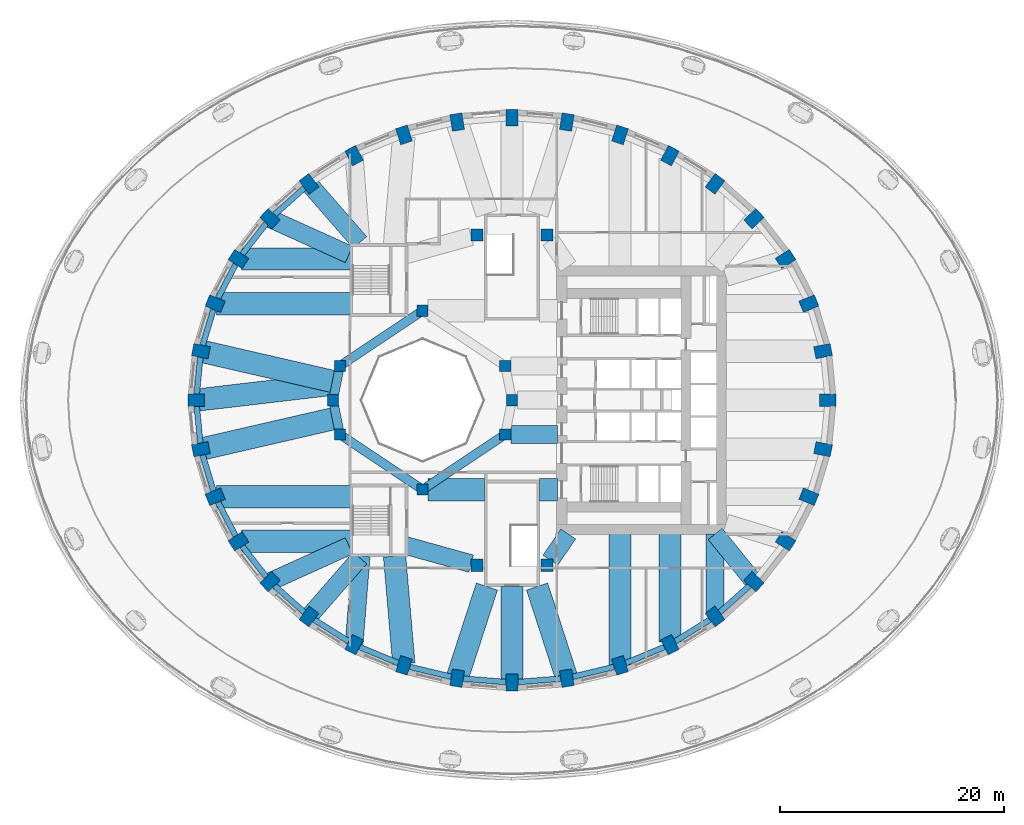
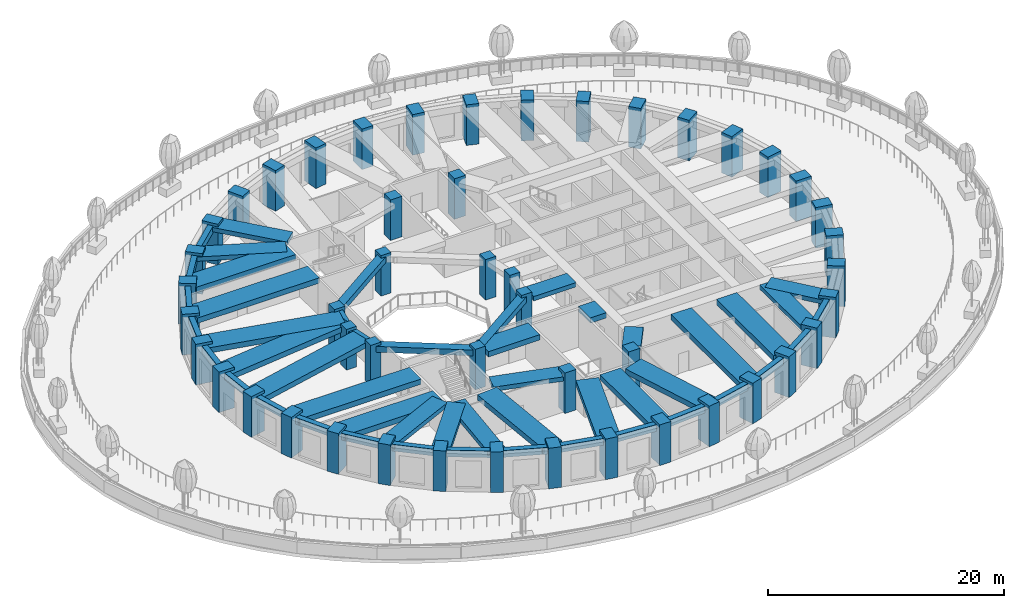
# One storey, part 1 of 17: 49 beams, 48 columns.
"""IFC4 building model written with IfcOpenShell, lengths in metres."""

from ifc_helpers import new_model, si_unit, direction, frame, origin, origin_2d, place, context, subcontext, project, spatial, rectangle, extrude, material, material_profile, profile_set, type_object, element, save


model = new_model("IFC4")

# Units and contexts
model_context = context("Model", 3, precision=1e-05, world=origin(), true_north=direction((0.0, 1.0)))
body_context = subcontext(model_context, "Body", "Model", "MODEL_VIEW")
ifc_project = project(units=[si_unit("LENGTHUNIT", "METRE"), si_unit("AREAUNIT", "SQUARE_METRE"), si_unit("VOLUMEUNIT", "CUBIC_METRE"), si_unit("PLANEANGLEUNIT", "RADIAN"), si_unit("MASSUNIT", "GRAM", prefix="KILO")], contexts=[model_context])

# Site, building, storey
site_placement = place(None, origin())
site = spatial("IfcSite", under=ifc_project, at=site_placement, CompositionType="ELEMENT")
building_placement = place(site_placement, origin())
building = spatial("IfcBuilding", under=site, at=building_placement, Name="Taillehof Tower", CompositionType="ELEMENT")
storey_placement = place(building_placement, frame((0.0, 0.0, 17.5)))
storey = spatial("IfcBuildingStorey", under=building, at=storey_placement, Name="L03", CompositionType="ELEMENT", Elevation=17.5)

# Columns
ifc_material_1 = material(Name="Concrete C50/60", Category="concrete")
ifc_material_profile_1 = material_profile(ifc_material_1, rectangle(XDim=1.0, YDim=1.0, at=origin_2d()), Name="RC 1000x1000")
ifc_profile_set_1 = profile_set([ifc_material_profile_1], Name="Concrete C50/60")
column_type_1 = type_object("IfcColumnType", Name="Atrium ring column C50/60 1000x1000", PredefinedType="COLUMN", material=ifc_profile_set_1)
for number, where, z_axis, x_axis, name in (
    (1, (0.0, 0.0, 0.0), (0.0, 0.0, 1.0), (1.0, 0.0, 0.0), "Column AC01"),
    (2, (-8.0, 8.0, 0.0), (0.0, 0.0, 1.0), (1.0, 0.0, 0.0), "Column AC05"),
    (3, (-16.0, 0.0, 0.0), (0.0, 0.0, 1.0), (1.0, 0.0, 0.0), "Column AC09"),
    (4, (-8.0, -8.0, 0.0), (0.0, 0.0, 1.0), (1.0, 0.0, 0.0), "Column AC13"),
):
    element("IfcColumn", number, at=place(storey_placement, frame(where, z_axis=z_axis, x_axis=x_axis)), inside=storey, type_object=column_type_1, Name=name, PredefinedType="COLUMN", context=body_context, shape_type="SweptSolid", body=[
        extrude(rectangle(XDim=1.0, YDim=1.0, at=origin_2d()), origin(), (0.0, 0.0, 1.0), 4.199951171875),
    ])
ifc_material_2 = material(Name="Concrete C60/75", Category="concrete")
ifc_material_profile_2 = material_profile(ifc_material_2, rectangle(XDim=1.0, YDim=1.0, at=origin_2d()), Name="RC 1000x1000")
ifc_profile_set_2 = profile_set([ifc_material_profile_2], Name="Concrete C60/75")
column_type_2 = type_object("IfcColumnType", Name="Atrium ring column C60/75 1000x1000", PredefinedType="COLUMN", material=ifc_profile_set_2)
for number, where, z_axis, x_axis, name in (
    (5, (-0.60888671875, 3.0615234375, 0.0), (0.0, 0.0, 1.0), (1.0, 0.0, 0.0), "Column AC02"),
    (6, (-15.39111328125, 3.0615234375, 0.0), (0.0, 0.0, 1.0), (1.0, 0.0, 0.0), "Column AC08"),
    (7, (-15.39111328125, -3.0615234375, 0.0), (0.0, 0.0, 1.0), (1.0, 0.0, 0.0), "Column AC10"),
    (8, (-0.60888671875, -3.0615234375, 0.0), (0.0, 0.0, 1.0), (1.0, 0.0, 0.0), "Column AC16"),
):
    element("IfcColumn", number, at=place(storey_placement, frame(where, z_axis=z_axis, x_axis=x_axis)), inside=storey, type_object=column_type_2, Name=name, PredefinedType="COLUMN", context=body_context, shape_type="SweptSolid", body=[
        extrude(rectangle(XDim=1.0, YDim=1.0, at=origin_2d()), origin(), (0.0, 0.0, 1.0), 4.199951171875),
    ])
ifc_material_3 = material(Name="Concrete C60/75", Category="concrete")
ifc_material_profile_3 = material_profile(ifc_material_3, rectangle(XDim=1.10009765625, YDim=1.10009765625, at=origin_2d()), Name="RC 1100x1100")
ifc_profile_set_3 = profile_set([ifc_material_profile_3], Name="Concrete C60/75")
column_type_3 = type_object("IfcColumnType", Name="Mid-ring column C60/75 1100x1100", PredefinedType="COLUMN", material=ifc_profile_set_3)
column_1_placement = place(storey_placement, frame((3.125732421875, -14.772216796875, 0.0), z_axis=(0.0, 0.0, 1.0), x_axis=(1.0, 0.0, 0.0)))
element("IfcColumn", 9, at=column_1_placement, inside=storey, type_object=column_type_3, Name="Column MC15", PredefinedType="COLUMN", context=body_context, shape_type="SweptSolid", body=[
    extrude(rectangle(XDim=1.10009765625, YDim=1.10009765625, at=origin_2d()), origin(), (0.0, 0.0, 1.0), 4.199951171875),
])
ifc_material_4 = material(Name="Concrete C70/85", Category="concrete")
ifc_material_profile_4 = material_profile(ifc_material_4, rectangle(XDim=1.10009765625, YDim=1.10009765625, at=origin_2d()), Name="RC 1100x1100")
ifc_profile_set_4 = profile_set([ifc_material_profile_4], Name="Concrete C70/85")
column_type_4 = type_object("IfcColumnType", Name="Mid-ring column C70/85 1100x1100", PredefinedType="COLUMN", material=ifc_profile_set_4)
column_2_placement = place(storey_placement, frame((3.125732421875, 14.772216796875, 0.0), z_axis=(0.0, 0.0, 1.0), x_axis=(1.0, 0.0, 0.0)))
element("IfcColumn", 10, at=column_2_placement, inside=storey, type_object=column_type_4, Name="Column MC05", PredefinedType="COLUMN", context=body_context, shape_type="SweptSolid", body=[
    extrude(rectangle(XDim=1.10009765625, YDim=1.10009765625, at=origin_2d()), origin(), (0.0, 0.0, 1.0), 4.199951171875),
])
ifc_material_5 = material(Name="Concrete C80/95", Category="concrete")
ifc_material_profile_5 = material_profile(ifc_material_5, rectangle(XDim=1.10009765625, YDim=1.10009765625, at=origin_2d()), Name="RC 1100x1100")
ifc_profile_set_5 = profile_set([ifc_material_profile_5], Name="Concrete C80/95")
column_type_5 = type_object("IfcColumnType", Name="Mid-ring column C80/95 1100x1100", PredefinedType="COLUMN", material=ifc_profile_set_5)
for number, where, z_axis, x_axis, name in (
    (11, (-3.125732421875, 14.772216796875, 0.0), (0.0, 0.0, 1.0), (1.0, 0.0, 0.0), "Column MC06"),
    (12, (-3.125732421875, -14.772216796875, 0.0), (0.0, 0.0, 1.0), (1.0, 0.0, 0.0), "Column MC14"),
):
    element("IfcColumn", number, at=place(storey_placement, frame(where, z_axis=z_axis, x_axis=x_axis)), inside=storey, type_object=column_type_5, Name=name, PredefinedType="COLUMN", context=body_context, shape_type="SweptSolid", body=[
        extrude(rectangle(XDim=1.10009765625, YDim=1.10009765625, at=origin_2d()), origin(), (0.0, 0.0, 1.0), 4.199951171875),
    ])
ifc_material_6 = material(Name="Concrete C70/85", Category="concrete")
ifc_material_profile_6 = material_profile(ifc_material_6, rectangle(XDim=1.5, YDim=1.10009765625, at=origin_2d()), Name="RC 1500x1100")
ifc_profile_set_6 = profile_set([ifc_material_profile_6], Name="Concrete C70/85")
column_type_6 = type_object("IfcColumnType", Name="Ring column C70/85 1500x1100", PredefinedType="COLUMN", material=ifc_profile_set_6)
for number, where, z_axis, x_axis, name in (
    (13, (28.25, 0.0, 0.0), (0.0, 0.0, 1.0), (1.0, 0.0, 0.0), "Ring column RC01"),
    (14, (27.82080078125, 4.384521484375, 0.0), (0.0, 0.0, 1.0), (0.98120354895, 0.192975634545, 0.0), "Ring column RC02"),
    (15, (26.54638671875, 8.635986328125, 0.0), (0.0, 0.0, 1.0), (0.926558045297, 0.37615181602, 0.0), "Ring column RC03"),
    (16, (24.46533203125, 12.625, 0.0), (0.0, 0.0, 1.0), (0.840753565229, 0.541417992456, 0.0), "Ring column RC04"),
    (17, (21.640869140625, 16.23046875, 0.0), (0.0, 0.0, 1.0), (0.730113022917, 0.683326403535, 0.0), "Ring column RC05"),
    (18, (18.15869140625, 19.342529296875, 0.0), (0.0, 0.0, 1.0), (0.601173783055, 0.79911831575, 0.0), "Ring column RC06"),
    (19, (14.125, 21.8671875, 0.0), (0.0, 0.0, 1.0), (0.459691308511, 0.888078769524, 0.0), "Ring column RC07"),
    (20, (9.662109375, 23.727294921875, 0.0), (0.0, 0.0, 1.0), (0.310219183529, 0.950665060981, 0.0), "Ring column RC08"),
    (21, (4.905517578125, 24.866455078125, 0.0), (0.0, 0.0, 1.0), (0.15614709407, 0.987733812833, 0.0), "Ring column RC09"),
    (22, (0.0, 25.25, 0.0), (0.0, 0.0, 1.0), (0.0, 1.0, 0.0), "Ring column RC10"),
    (23, (-4.905517578125, 24.866455078125, 0.0), (0.0, 0.0, 1.0), (-0.15614709407, 0.987733812833, 0.0), "Ring column RC11"),
    (24, (-9.662109375, 23.727294921875, 0.0), (0.0, 0.0, 1.0), (-0.310219183529, 0.950665060981, 0.0), "Ring column RC12"),
    (25, (-14.125, 21.8671875, 0.0), (0.0, 0.0, 1.0), (-0.459691308511, 0.888078769524, 0.0), "Ring column RC13"),
    (26, (-18.15869140625, 19.342529296875, 0.0), (0.0, 0.0, 1.0), (-0.601173783055, 0.79911831575, 0.0), "Ring column RC14"),
    (27, (-21.640869140625, 16.23046875, 0.0), (0.0, 0.0, 1.0), (-0.730113022917, 0.683326403535, 0.0), "Ring column RC15"),
    (28, (-24.46533203125, 12.625, 0.0), (0.0, 0.0, 1.0), (-0.840753565229, 0.541417992456, 0.0), "Ring column RC16"),
    (29, (-26.54638671875, 8.635986328125, 0.0), (0.0, 0.0, 1.0), (-0.926558045297, 0.37615181602, 0.0), "Ring column RC17"),
    (30, (-27.82080078125, 4.384521484375, 0.0), (0.0, 0.0, 1.0), (-0.98120354895, 0.192975634545, 0.0), "Ring column RC18"),
    (31, (-28.25, 0.0, 0.0), (0.0, 0.0, 1.0), (-1.0, 0.0, 0.0), "Ring column RC19"),
    (32, (-27.82080078125, -4.384521484375, 0.0), (0.0, 0.0, 1.0), (-0.98120354895, -0.192975634545, 0.0), "Ring column RC20"),
    (33, (-26.54638671875, -8.635986328125, 0.0), (0.0, 0.0, 1.0), (-0.926558045297, -0.37615181602, 0.0), "Ring column RC21"),
    (34, (-24.46533203125, -12.625, 0.0), (0.0, 0.0, 1.0), (-0.840753565229, -0.541417992456, 0.0), "Ring column RC22"),
    (35, (-21.640869140625, -16.23046875, 0.0), (0.0, 0.0, 1.0), (-0.730113022917, -0.683326403535, 0.0), "Ring column RC23"),
    (36, (-18.15869140625, -19.342529296875, 0.0), (0.0, 0.0, 1.0), (-0.601173783055, -0.79911831575, 0.0), "Ring column RC24"),
    (37, (-14.125, -21.8671875, 0.0), (0.0, 0.0, 1.0), (-0.459691308511, -0.888078769524, 0.0), "Ring column RC25"),
    (38, (-9.662109375, -23.727294921875, 0.0), (0.0, 0.0, 1.0), (-0.310219183529, -0.950665060981, 0.0), "Ring column RC26"),
    (39, (-4.905517578125, -24.866455078125, 0.0), (0.0, 0.0, 1.0), (-0.15614709407, -0.987733812833, 0.0), "Ring column RC27"),
    (40, (0.0, -25.25, 0.0), (0.0, 0.0, 1.0), (0.0, -1.0, 0.0), "Ring column RC28"),
    (41, (4.905517578125, -24.866455078125, 0.0), (0.0, 0.0, 1.0), (0.15614709407, -0.987733812833, 0.0), "Ring column RC29"),
    (42, (9.662109375, -23.727294921875, 0.0), (0.0, 0.0, 1.0), (0.310219183529, -0.950665060981, 0.0), "Ring column RC30"),
    (43, (14.125, -21.8671875, 0.0), (0.0, 0.0, 1.0), (0.459691308511, -0.888078769524, 0.0), "Ring column RC31"),
    (44, (18.15869140625, -19.342529296875, 0.0), (0.0, 0.0, 1.0), (0.601173783055, -0.79911831575, 0.0), "Ring column RC32"),
    (45, (21.640869140625, -16.23046875, 0.0), (0.0, 0.0, 1.0), (0.730113022917, -0.683326403535, 0.0), "Ring column RC33"),
    (46, (24.46533203125, -12.625, 0.0), (0.0, 0.0, 1.0), (0.840753565229, -0.541417992456, 0.0), "Ring column RC34"),
    (47, (26.54638671875, -8.635986328125, 0.0), (0.0, 0.0, 1.0), (0.926558045297, -0.37615181602, 0.0), "Ring column RC35"),
    (48, (27.82080078125, -4.384521484375, 0.0), (0.0, 0.0, 1.0), (0.98120354895, -0.192975634545, 0.0), "Ring column RC36"),
):
    element("IfcColumn", number, at=place(storey_placement, frame(where, z_axis=z_axis, x_axis=x_axis)), inside=storey, type_object=column_type_6, Name=name, PredefinedType="COLUMN", context=body_context, shape_type="SweptSolid", body=[
        extrude(rectangle(XDim=1.5, YDim=1.10009765625, at=origin_2d()), origin(), (0.0, 0.0, 1.0), 4.199951171875),
    ])

# Beams
ifc_material_7 = material(Name="Concrete C50/60", Category="concrete")
ifc_material_profile_7 = material_profile(ifc_material_7, rectangle(XDim=0.800048828125, YDim=0.5, at=origin_2d()), Name="RC 800x500")
ifc_profile_set_7 = profile_set([ifc_material_profile_7], Name="Concrete C50/60")
beam_type_1 = type_object("IfcBeamType", Name="Atrium ring beam C50/60 800x500", PredefinedType="BEAM", material=ifc_profile_set_7)
for number, where, z_axis, x_axis, name in (
    (49, (-15.39111328125, 3.0615234375, 3.669921875), (-0.195063155143, -0.980790683839, 0.0), (0.980790683839, -0.195063155143, 0.0), "Atrium ring beam AB04"),
    (50, (-16.0, 0.0, 3.669921875), (0.195063155143, -0.980790683839, 0.0), (0.980790683839, 0.195063155143, 0.0), "Atrium ring beam AB05"),
):
    element("IfcBeam", number, at=place(storey_placement, frame(where, z_axis=z_axis, x_axis=x_axis)), inside=storey, type_object=beam_type_1, Name=name, PredefinedType="BEAM", context=body_context, shape_type="SweptSolid", body=[
        extrude(rectangle(XDim=0.800048828125, YDim=0.5, at=origin_2d()), origin(), (0.0, 0.0, 1.0), 3.12158203125),
    ])
ifc_material_8 = material(Name="Concrete C50/60", Category="concrete")
ifc_material_profile_8 = material_profile(ifc_material_8, rectangle(XDim=0.800048828125, YDim=0.60009765625, at=origin_2d()), Name="RC 800x600")
ifc_profile_set_8 = profile_set([ifc_material_profile_8], Name="Concrete C50/60")
beam_type_2 = type_object("IfcBeamType", Name="Atrium ring beam C50/60 800x600", PredefinedType="BEAM", material=ifc_profile_set_8)
for number, where, z_axis, x_axis, name in (
    (51, (-8.0, 8.0, 3.6201171875), (-0.831475195687, -0.555561876804, 0.0), (0.555561876804, -0.831475195687, 0.0), "Atrium ring beam AB03"),
    (52, (-15.39111328125, -3.0615234375, 3.6201171875), (0.831475195687, -0.555561876804, 0.0), (0.555561876804, 0.831475195687, 0.0), "Atrium ring beam AB06"),
    (53, (-8.0, -8.0, 3.6201171875), (0.831475195687, 0.555561876804, 0.0), (-0.555561876804, 0.831475195687, 0.0), "Atrium ring beam AB07"),
):
    element("IfcBeam", number, at=place(storey_placement, frame(where, z_axis=z_axis, x_axis=x_axis)), inside=storey, type_object=beam_type_2, Name=name, PredefinedType="BEAM", context=body_context, shape_type="SweptSolid", body=[
        extrude(rectangle(XDim=0.800048828125, YDim=0.60009765625, at=origin_2d()), origin(), (0.0, 0.0, 1.0), 8.88916015625),
    ])
ifc_material_9 = material(Name="Concrete C50/60", Category="concrete")
ifc_material_profile_9 = material_profile(ifc_material_9, rectangle(XDim=1.60009765625, YDim=0.449951171875, at=origin_2d()), Name="RC 1600x450")
ifc_profile_set_9 = profile_set([ifc_material_profile_9], Name="Concrete C50/60")
beam_type_3 = type_object("IfcBeamType", Name="Radial band beam C50/60 1600x450", PredefinedType="BEAM", material=ifc_profile_set_9)
beam_1_placement = place(storey_placement, frame((-18.15869140625, 19.342529296875, 3.695068359375), z_axis=(0.65721824087, -0.753700327628, 0.0), x_axis=(0.753700327628, 0.65721824087, 0.0)))
element("IfcBeam", 54, at=beam_1_placement, inside=storey, type_object=beam_type_3, Name="Radial band beam RB14", PredefinedType="BEAM", context=body_context, shape_type="SweptSolid", body=[
    extrude(rectangle(XDim=1.60009765625, YDim=0.449951171875, at=origin_2d()), origin(), (0.0, 0.0, 1.0), 6.9384765625),
])
for number, where, z_axis, x_axis, name in (
    (55, (-21.632568359375, 16.226806640625, 3.695068359375), (0.911100590789, -0.412184077161, 0.0), (0.412184077161, 0.911100590789, 0.0), "Radial band beam RB15"),
    (56, (-21.632568359375, -16.226806640625, 3.695068359375), (0.911100590789, 0.412184077161, 0.0), (-0.412184077161, 0.911100590789, 0.0), "Radial band beam RB23"),
):
    element("IfcBeam", number, at=place(storey_placement, frame(where, z_axis=z_axis, x_axis=x_axis)), inside=storey, type_object=beam_type_3, Name=name, PredefinedType="BEAM", context=body_context, shape_type="SweptSolid", body=[
        extrude(rectangle(XDim=1.60009765625, YDim=0.449951171875, at=origin_2d()), origin(), (0.0, 0.0, 1.0), 7.740966796875),
    ])
beam_2_placement = place(storey_placement, frame((-18.15869140625, -19.342529296875, 3.695068359375), z_axis=(0.65721824087, 0.753700327628, 0.0), x_axis=(-0.753700327628, 0.65721824087, 0.0)))
element("IfcBeam", 57, at=beam_2_placement, inside=storey, type_object=beam_type_3, Name="Radial band beam RB24", PredefinedType="BEAM", context=body_context, shape_type="SweptSolid", body=[
    extrude(rectangle(XDim=1.60009765625, YDim=0.449951171875, at=origin_2d()), origin(), (0.0, 0.0, 1.0), 6.9384765625),
])
beam_3_placement = place(storey_placement, frame((-14.119873046875, -21.802978515625, 3.695068359375), z_axis=(0.079184740988, 0.996859958467, 0.0), x_axis=(-0.996859958467, 0.079184740988, 0.0)))
element("IfcBeam", 58, at=beam_3_placement, inside=storey, type_object=beam_type_3, Name="Radial band beam RB25", PredefinedType="BEAM", context=body_context, shape_type="SweptSolid", body=[
    extrude(rectangle(XDim=1.60009765625, YDim=0.449951171875, at=origin_2d()), origin(), (0.0, 0.0, 1.0), 7.87744140625),
])
beam_4_placement = place(storey_placement, frame((18.15869140625, -19.05517578125, 3.695068359375), z_axis=(0.0, 1.0, 0.0), x_axis=(-1.0, 0.0, 0.0)))
element("IfcBeam", 59, at=beam_4_placement, inside=storey, type_object=beam_type_3, Name="Radial band beam RB32", PredefinedType="BEAM", context=body_context, shape_type="SweptSolid", body=[
    extrude(rectangle(XDim=1.60009765625, YDim=0.449951171875, at=origin_2d()), origin(), (0.0, 0.0, 1.0), 7.105224609375),
])
beam_5_placement = place(storey_placement, frame((21.640869140625, -16.23046875, 3.695068359375), z_axis=(-0.630988373846, 0.775792286679, 0.0), x_axis=(-0.775792286679, -0.630988373846, 0.0)))
element("IfcBeam", 60, at=beam_5_placement, inside=storey, type_object=beam_type_3, Name="Radial band beam RB33", PredefinedType="BEAM", context=body_context, shape_type="SweptSolid", body=[
    extrude(rectangle(XDim=1.60009765625, YDim=0.449951171875, at=origin_2d()), origin(), (0.0, 0.0, 1.0), 5.503173828125),
])
beam_6_placement = place(storey_placement, frame((-0.10888671875, -3.0615234375, 3.695068359375), z_axis=(1.0, 0.0, 0.0), x_axis=(0.0, 1.0, 0.0)))
element("IfcBeam", 61, at=beam_6_placement, inside=storey, type_object=beam_type_3, Name="Inner band beam IB116", PredefinedType="BEAM", context=body_context, shape_type="SweptSolid", body=[
    extrude(rectangle(XDim=1.60009765625, YDim=0.449951171875, at=origin_2d()), origin(), (0.0, 0.0, 1.0), 4.158935546875),
])
beam_7_placement = place(storey_placement, frame((-3.655517578125, -14.624755859375, 3.695068359375), z_axis=(-0.963459369536, 0.267854518821, 0.0), x_axis=(-0.267854518821, -0.963459369536, 0.0)))
element("IfcBeam", 62, at=beam_7_placement, inside=storey, type_object=beam_type_3, Name="Inner band beam IB214", PredefinedType="BEAM", context=body_context, shape_type="SweptSolid", body=[
    extrude(rectangle(XDim=1.60009765625, YDim=0.449951171875, at=origin_2d()), origin(), (0.0, 0.0, 1.0), 6.096923828125),
])
beam_8_placement = place(storey_placement, frame((3.433837890625, -14.31640625, 3.695068359375), z_axis=(0.560112043398, 0.828416862962, 0.0), x_axis=(-0.828416862962, 0.560112043398, 0.0)))
element("IfcBeam", 63, at=beam_8_placement, inside=storey, type_object=beam_type_3, Name="Inner band beam IB215", PredefinedType="BEAM", context=body_context, shape_type="SweptSolid", body=[
    extrude(rectangle(XDim=1.60009765625, YDim=0.449951171875, at=origin_2d()), origin(), (0.0, 0.0, 1.0), 2.84619140625),
])
ifc_material_10 = material(Name="Concrete C50/60", Category="concrete")
ifc_material_profile_10 = material_profile(ifc_material_10, rectangle(XDim=2.0, YDim=0.550048828125, at=origin_2d()), Name="RC 2000x550")
ifc_profile_set_10 = profile_set([ifc_material_profile_10], Name="Concrete C50/60")
beam_type_4 = type_object("IfcBeamType", Name="Radial band beam C50/60 2000x550", PredefinedType="BEAM", material=ifc_profile_set_10)
beam_9_placement = place(storey_placement, frame((-24.172607421875, 12.625, 3.64501953125), z_axis=(1.0, 0.0, 0.0), x_axis=(0.0, 1.0, 0.0)))
element("IfcBeam", 64, at=beam_9_placement, inside=storey, type_object=beam_type_4, Name="Radial band beam RB16", PredefinedType="BEAM", context=body_context, shape_type="SweptSolid", body=[
    extrude(rectangle(XDim=2.0, YDim=0.550048828125, at=origin_2d()), origin(), (0.0, 0.0, 1.0), 9.72265625),
])
beam_10_placement = place(storey_placement, frame((-26.408935546875, 8.635986328125, 3.64501953125), z_axis=(1.0, 0.0, 0.0), x_axis=(0.0, 1.0, 0.0)))
element("IfcBeam", 65, at=beam_10_placement, inside=storey, type_object=beam_type_4, Name="Radial band beam RB17", PredefinedType="BEAM", context=body_context, shape_type="SweptSolid", body=[
    extrude(rectangle(XDim=2.0, YDim=0.550048828125, at=origin_2d()), origin(), (0.0, 0.0, 1.0), 11.958984375),
])
beam_11_placement = place(storey_placement, frame((-27.82080078125, 4.384521484375, 3.64501953125), z_axis=(0.974509005862, -0.2243483842, 0.0), x_axis=(0.2243483842, 0.974509005862, 0.0)))
element("IfcBeam", 66, at=beam_11_placement, inside=storey, type_object=beam_type_4, Name="Radial band beam RB18", PredefinedType="BEAM", context=body_context, shape_type="SweptSolid", body=[
    extrude(rectangle(XDim=2.0, YDim=0.550048828125, at=origin_2d()), origin(), (0.0, 0.0, 1.0), 12.45458984375),
])
beam_12_placement = place(storey_placement, frame((-28.25, 0.0, 3.64501953125), z_axis=(0.993191188018, 0.11649576835, 0.0), x_axis=(-0.11649576835, 0.993191188018, 0.0)))
element("IfcBeam", 67, at=beam_12_placement, inside=storey, type_object=beam_type_4, Name="Radial band beam RB19", PredefinedType="BEAM", context=body_context, shape_type="SweptSolid", body=[
    extrude(rectangle(XDim=2.0, YDim=0.550048828125, at=origin_2d()), origin(), (0.0, 0.0, 1.0), 12.628662109375),
])
beam_13_placement = place(storey_placement, frame((-27.82080078125, -4.384521484375, 3.64501953125), z_axis=(0.974509005862, 0.2243483842, 0.0), x_axis=(-0.2243483842, 0.974509005862, 0.0)))
element("IfcBeam", 68, at=beam_13_placement, inside=storey, type_object=beam_type_4, Name="Radial band beam RB20", PredefinedType="BEAM", context=body_context, shape_type="SweptSolid", body=[
    extrude(rectangle(XDim=2.0, YDim=0.550048828125, at=origin_2d()), origin(), (0.0, 0.0, 1.0), 12.45458984375),
])
beam_14_placement = place(storey_placement, frame((-26.408935546875, -8.635986328125, 3.64501953125), z_axis=(1.0, 0.0, 0.0), x_axis=(0.0, 1.0, 0.0)))
element("IfcBeam", 69, at=beam_14_placement, inside=storey, type_object=beam_type_4, Name="Radial band beam RB21", PredefinedType="BEAM", context=body_context, shape_type="SweptSolid", body=[
    extrude(rectangle(XDim=2.0, YDim=0.550048828125, at=origin_2d()), origin(), (0.0, 0.0, 1.0), 11.958984375),
])
beam_15_placement = place(storey_placement, frame((-24.172607421875, -12.625, 3.64501953125), z_axis=(1.0, 0.0, 0.0), x_axis=(0.0, 1.0, 0.0)))
element("IfcBeam", 70, at=beam_15_placement, inside=storey, type_object=beam_type_4, Name="Radial band beam RB22", PredefinedType="BEAM", context=body_context, shape_type="SweptSolid", body=[
    extrude(rectangle(XDim=2.0, YDim=0.550048828125, at=origin_2d()), origin(), (0.0, 0.0, 1.0), 9.72265625),
])
beam_16_placement = place(storey_placement, frame((-9.675048828125, -23.575927734375, 3.64501953125), z_axis=(-0.085841202752, 0.996308831593, 0.0), x_axis=(-0.996308831593, -0.085841202752, 0.0)))
element("IfcBeam", 71, at=beam_16_placement, inside=storey, type_object=beam_type_4, Name="Radial band beam RB26", PredefinedType="BEAM", context=body_context, shape_type="SweptSolid", body=[
    extrude(rectangle(XDim=2.0, YDim=0.550048828125, at=origin_2d()), origin(), (0.0, 0.0, 1.0), 9.661376953125),
])
beam_17_placement = place(storey_placement, frame((-4.905517578125, -24.866455078125, 3.64501953125), z_axis=(0.309003440733, 0.951060920034, 0.0), x_axis=(-0.951060920034, 0.309003440733, 0.0)))
element("IfcBeam", 72, at=beam_17_placement, inside=storey, type_object=beam_type_4, Name="Radial band beam RB27", PredefinedType="BEAM", context=body_context, shape_type="SweptSolid", body=[
    extrude(rectangle(XDim=2.0, YDim=0.550048828125, at=origin_2d()), origin(), (0.0, 0.0, 1.0), 8.618408203125),
])
beam_18_placement = place(storey_placement, frame((0.0, -25.25, 3.64501953125), z_axis=(0.0, 1.0, 0.0), x_axis=(-1.0, 0.0, 0.0)))
element("IfcBeam", 73, at=beam_18_placement, inside=storey, type_object=beam_type_4, Name="Radial band beam RB28", PredefinedType="BEAM", context=body_context, shape_type="SweptSolid", body=[
    extrude(rectangle(XDim=2.0, YDim=0.550048828125, at=origin_2d()), origin(), (0.0, 0.0, 1.0), 8.580078125),
])
beam_19_placement = place(storey_placement, frame((4.905517578125, -24.866455078125, 3.64501953125), z_axis=(-0.309003440733, 0.951060920034, 0.0), x_axis=(-0.951060920034, -0.309003440733, 0.0)))
element("IfcBeam", 74, at=beam_19_placement, inside=storey, type_object=beam_type_4, Name="Radial band beam RB29", PredefinedType="BEAM", context=body_context, shape_type="SweptSolid", body=[
    extrude(rectangle(XDim=2.0, YDim=0.550048828125, at=origin_2d()), origin(), (0.0, 0.0, 1.0), 8.618408203125),
])
beam_20_placement = place(storey_placement, frame((9.662109375, -23.664794921875, 3.64501953125), z_axis=(0.0, 1.0, 0.0), x_axis=(-1.0, 0.0, 0.0)))
element("IfcBeam", 75, at=beam_20_placement, inside=storey, type_object=beam_type_4, Name="Radial band beam RB30", PredefinedType="BEAM", context=body_context, shape_type="SweptSolid", body=[
    extrude(rectangle(XDim=2.0, YDim=0.550048828125, at=origin_2d()), origin(), (0.0, 0.0, 1.0), 11.71484375),
])
beam_21_placement = place(storey_placement, frame((14.125, -21.63232421875, 3.64501953125), z_axis=(0.0, 1.0, 0.0), x_axis=(-1.0, 0.0, 0.0)))
element("IfcBeam", 76, at=beam_21_placement, inside=storey, type_object=beam_type_4, Name="Radial band beam RB31", PredefinedType="BEAM", context=body_context, shape_type="SweptSolid", body=[
    extrude(rectangle(XDim=2.0, YDim=0.550048828125, at=origin_2d()), origin(), (0.0, 0.0, 1.0), 9.682373046875),
])
beam_22_placement = place(storey_placement, frame((-7.5, -8.0, 3.64501953125), z_axis=(1.0, 0.0, 0.0), x_axis=(0.0, 1.0, 0.0)))
element("IfcBeam", 77, at=beam_22_placement, inside=storey, type_object=beam_type_4, Name="Inner band beam IB113", PredefinedType="BEAM", context=body_context, shape_type="SweptSolid", body=[
    extrude(rectangle(XDim=2.0, YDim=0.550048828125, at=origin_2d()), origin(), (0.0, 0.0, 1.0), 5.02490234375),
])
beam_23_placement = place(storey_placement, frame((2.47509765625, -8.0, 3.64501953125), z_axis=(1.0, 0.0, 0.0), x_axis=(0.0, 1.0, 0.0)))
element("IfcBeam", 78, at=beam_23_placement, inside=storey, type_object=beam_type_4, Name="Inner band beam IB113", PredefinedType="BEAM", context=body_context, shape_type="SweptSolid", body=[
    extrude(rectangle(XDim=2.0, YDim=0.550048828125, at=origin_2d()), origin(), (0.0, 0.0, 1.0), 1.574951171875),
])
ifc_material_11 = material(Name="Concrete C50/60", Category="concrete")
ifc_material_profile_11 = material_profile(ifc_material_11, rectangle(XDim=0.5, YDim=0.699951171875, at=origin_2d()), Name="RC 500x700")
ifc_profile_set_11 = profile_set([ifc_material_profile_11], Name="Concrete C50/60")
beam_type_5 = type_object("IfcBeamType", Name="Spandrel beam C50/60 500x700", PredefinedType="SPANDREL", material=ifc_profile_set_11)
beam_24_placement = place(storey_placement, frame((-18.15869140625, 19.342529296875, 3.570068359375), z_axis=(-0.745621283614, -0.666369943366, 0.0), x_axis=(0.666369943366, -0.745621283614, 0.0)))
element("IfcBeam", 79, at=beam_24_placement, inside=storey, type_object=beam_type_5, Name="Spandrel beam SB14", PredefinedType="SPANDREL", context=body_context, shape_type="SweptSolid", body=[
    extrude(rectangle(XDim=0.5, YDim=0.699951171875, at=origin_2d()), origin(), (0.0, 0.0, 1.0), 4.670166015625),
])
beam_25_placement = place(storey_placement, frame((-21.640869140625, 16.23046875, 3.570068359375), z_axis=(-0.616686200373, -0.787209076593, 0.0), x_axis=(0.787209076593, -0.616686200373, 0.0)))
element("IfcBeam", 80, at=beam_25_placement, inside=storey, type_object=beam_type_5, Name="Spandrel beam SB15", PredefinedType="SPANDREL", context=body_context, shape_type="SweptSolid", body=[
    extrude(rectangle(XDim=0.5, YDim=0.699951171875, at=origin_2d()), origin(), (0.0, 0.0, 1.0), 4.580078125),
])
beam_26_placement = place(storey_placement, frame((-24.46533203125, 12.625, 3.570068359375), z_axis=(-0.462536335232, -0.886600326297, 0.0), x_axis=(0.886600326297, -0.462536335232, 0.0)))
element("IfcBeam", 81, at=beam_26_placement, inside=storey, type_object=beam_type_5, Name="Spandrel beam SB16", PredefinedType="SPANDREL", context=body_context, shape_type="SweptSolid", body=[
    extrude(rectangle(XDim=0.5, YDim=0.699951171875, at=origin_2d()), origin(), (0.0, 0.0, 1.0), 4.499267578125),
])
beam_27_placement = place(storey_placement, frame((-26.54638671875, 8.635986328125, 3.570068359375), z_axis=(-0.287135925407, -0.957889847707, 0.0), x_axis=(0.957889847707, -0.287135925407, 0.0)))
element("IfcBeam", 82, at=beam_27_placement, inside=storey, type_object=beam_type_5, Name="Spandrel beam SB17", PredefinedType="SPANDREL", context=body_context, shape_type="SweptSolid", body=[
    extrude(rectangle(XDim=0.5, YDim=0.699951171875, at=origin_2d()), origin(), (0.0, 0.0, 1.0), 4.4384765625),
])
for number, where, z_axis, x_axis, name in (
    (83, (-27.82080078125, 4.384521484375, 3.570068359375), (-0.097423973567, -0.99524297002, 0.0), (0.99524297002, -0.097423973567, 0.0), "Spandrel beam SB18"),
    (84, (-28.25, 0.0, 3.570068359375), (0.097423973567, -0.99524297002, 0.0), (0.99524297002, 0.097423973567, 0.0), "Spandrel beam SB19"),
):
    element("IfcBeam", number, at=place(storey_placement, frame(where, z_axis=z_axis, x_axis=x_axis)), inside=storey, type_object=beam_type_5, Name=name, PredefinedType="SPANDREL", context=body_context, shape_type="SweptSolid", body=[
        extrude(rectangle(XDim=0.5, YDim=0.699951171875, at=origin_2d()), origin(), (0.0, 0.0, 1.0), 4.405517578125),
    ])
beam_28_placement = place(storey_placement, frame((-27.82080078125, -4.384521484375, 3.570068359375), z_axis=(0.287135925407, -0.957889847707, 0.0), x_axis=(0.957889847707, 0.287135925407, 0.0)))
element("IfcBeam", 85, at=beam_28_placement, inside=storey, type_object=beam_type_5, Name="Spandrel beam SB20", PredefinedType="SPANDREL", context=body_context, shape_type="SweptSolid", body=[
    extrude(rectangle(XDim=0.5, YDim=0.699951171875, at=origin_2d()), origin(), (0.0, 0.0, 1.0), 4.4384765625),
])
beam_29_placement = place(storey_placement, frame((-26.54638671875, -8.635986328125, 3.570068359375), z_axis=(0.462536335232, -0.886600326297, 0.0), x_axis=(0.886600326297, 0.462536335232, 0.0)))
element("IfcBeam", 86, at=beam_29_placement, inside=storey, type_object=beam_type_5, Name="Spandrel beam SB21", PredefinedType="SPANDREL", context=body_context, shape_type="SweptSolid", body=[
    extrude(rectangle(XDim=0.5, YDim=0.699951171875, at=origin_2d()), origin(), (0.0, 0.0, 1.0), 4.499267578125),
])
beam_30_placement = place(storey_placement, frame((-24.46533203125, -12.625, 3.570068359375), z_axis=(0.616686200373, -0.787209076593, 0.0), x_axis=(0.787209076593, 0.616686200373, 0.0)))
element("IfcBeam", 87, at=beam_30_placement, inside=storey, type_object=beam_type_5, Name="Spandrel beam SB22", PredefinedType="SPANDREL", context=body_context, shape_type="SweptSolid", body=[
    extrude(rectangle(XDim=0.5, YDim=0.699951171875, at=origin_2d()), origin(), (0.0, 0.0, 1.0), 4.580078125),
])
beam_31_placement = place(storey_placement, frame((-21.640869140625, -16.23046875, 3.570068359375), z_axis=(0.745621283614, -0.666369943366, 0.0), x_axis=(0.666369943366, 0.745621283614, 0.0)))
element("IfcBeam", 88, at=beam_31_placement, inside=storey, type_object=beam_type_5, Name="Spandrel beam SB23", PredefinedType="SPANDREL", context=body_context, shape_type="SweptSolid", body=[
    extrude(rectangle(XDim=0.5, YDim=0.699951171875, at=origin_2d()), origin(), (0.0, 0.0, 1.0), 4.670166015625),
])
beam_32_placement = place(storey_placement, frame((-18.15869140625, -19.342529296875, 3.570068359375), z_axis=(0.847658018883, -0.530543007703, 0.0), x_axis=(0.530543007703, 0.847658018883, 0.0)))
element("IfcBeam", 89, at=beam_32_placement, inside=storey, type_object=beam_type_5, Name="Spandrel beam SB24", PredefinedType="SPANDREL", context=body_context, shape_type="SweptSolid", body=[
    extrude(rectangle(XDim=0.5, YDim=0.699951171875, at=origin_2d()), origin(), (0.0, 0.0, 1.0), 4.758544921875),
])
beam_33_placement = place(storey_placement, frame((-14.125, -21.8671875, 3.570068359375), z_axis=(0.923035088053, -0.384715773297, 0.0), x_axis=(0.384715773297, 0.923035088053, 0.0)))
element("IfcBeam", 90, at=beam_33_placement, inside=storey, type_object=beam_type_5, Name="Spandrel beam SB25", PredefinedType="SPANDREL", context=body_context, shape_type="SweptSolid", body=[
    extrude(rectangle(XDim=0.5, YDim=0.699951171875, at=origin_2d()), origin(), (0.0, 0.0, 1.0), 4.8349609375),
])
beam_34_placement = place(storey_placement, frame((-9.662109375, -23.727294921875, 3.570068359375), z_axis=(0.9724995553, -0.232904733616, 0.0), x_axis=(0.232904733616, 0.9724995553, 0.0)))
element("IfcBeam", 91, at=beam_34_placement, inside=storey, type_object=beam_type_5, Name="Spandrel beam SB26", PredefinedType="SPANDREL", context=body_context, shape_type="SweptSolid", body=[
    extrude(rectangle(XDim=0.5, YDim=0.699951171875, at=origin_2d()), origin(), (0.0, 0.0, 1.0), 4.89111328125),
])
for number, where, z_axis, x_axis, name in (
    (92, (-4.905517578125, -24.866455078125, 3.570068359375), (0.996957383661, -0.077948541767, 0.0), (0.077948541767, 0.996957383661, 0.0), "Spandrel beam SB27"),
    (93, (0.0, -25.25, 3.570068359375), (0.996957383661, 0.077948541767, 0.0), (-0.077948541767, 0.996957383661, 0.0), "Spandrel beam SB28"),
):
    element("IfcBeam", number, at=place(storey_placement, frame(where, z_axis=z_axis, x_axis=x_axis)), inside=storey, type_object=beam_type_5, Name=name, PredefinedType="SPANDREL", context=body_context, shape_type="SweptSolid", body=[
        extrude(rectangle(XDim=0.5, YDim=0.699951171875, at=origin_2d()), origin(), (0.0, 0.0, 1.0), 4.92041015625),
    ])
beam_35_placement = place(storey_placement, frame((4.905517578125, -24.866455078125, 3.570068359375), z_axis=(0.9724995553, 0.232904733616, 0.0), x_axis=(-0.232904733616, 0.9724995553, 0.0)))
element("IfcBeam", 94, at=beam_35_placement, inside=storey, type_object=beam_type_5, Name="Spandrel beam SB29", PredefinedType="SPANDREL", context=body_context, shape_type="SweptSolid", body=[
    extrude(rectangle(XDim=0.5, YDim=0.699951171875, at=origin_2d()), origin(), (0.0, 0.0, 1.0), 4.89111328125),
])
beam_36_placement = place(storey_placement, frame((9.662109375, -23.727294921875, 3.570068359375), z_axis=(0.923035088053, 0.384715773297, 0.0), x_axis=(-0.384715773297, 0.923035088053, 0.0)))
element("IfcBeam", 95, at=beam_36_placement, inside=storey, type_object=beam_type_5, Name="Spandrel beam SB30", PredefinedType="SPANDREL", context=body_context, shape_type="SweptSolid", body=[
    extrude(rectangle(XDim=0.5, YDim=0.699951171875, at=origin_2d()), origin(), (0.0, 0.0, 1.0), 4.8349609375),
])
beam_37_placement = place(storey_placement, frame((14.125, -21.8671875, 3.570068359375), z_axis=(0.847658018883, 0.530543007703, 0.0), x_axis=(-0.530543007703, 0.847658018883, 0.0)))
element("IfcBeam", 96, at=beam_37_placement, inside=storey, type_object=beam_type_5, Name="Spandrel beam SB31", PredefinedType="SPANDREL", context=body_context, shape_type="SweptSolid", body=[
    extrude(rectangle(XDim=0.5, YDim=0.699951171875, at=origin_2d()), origin(), (0.0, 0.0, 1.0), 4.758544921875),
])
beam_38_placement = place(storey_placement, frame((18.15869140625, -19.342529296875, 3.570068359375), z_axis=(0.745621283614, 0.666369943366, 0.0), x_axis=(-0.666369943366, 0.745621283614, 0.0)))
element("IfcBeam", 97, at=beam_38_placement, inside=storey, type_object=beam_type_5, Name="Spandrel beam SB32", PredefinedType="SPANDREL", context=body_context, shape_type="SweptSolid", body=[
    extrude(rectangle(XDim=0.5, YDim=0.699951171875, at=origin_2d()), origin(), (0.0, 0.0, 1.0), 4.670166015625),
])

save(model, "model.ifc")
